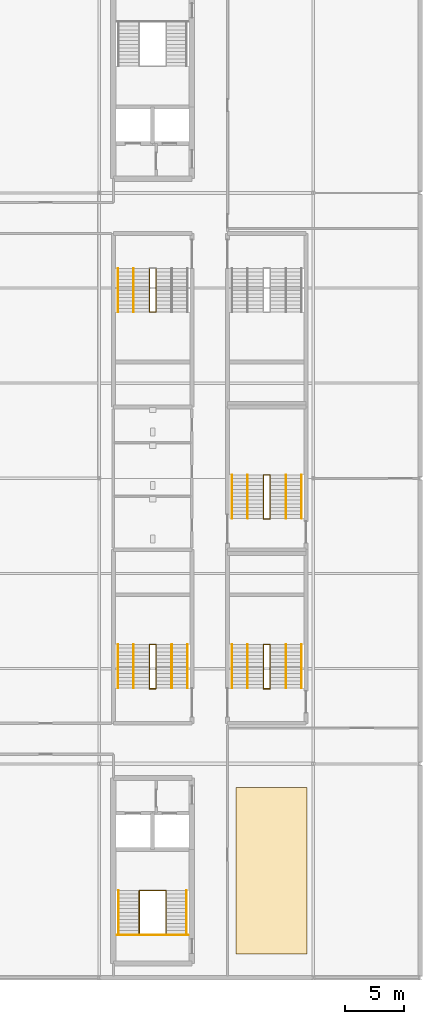
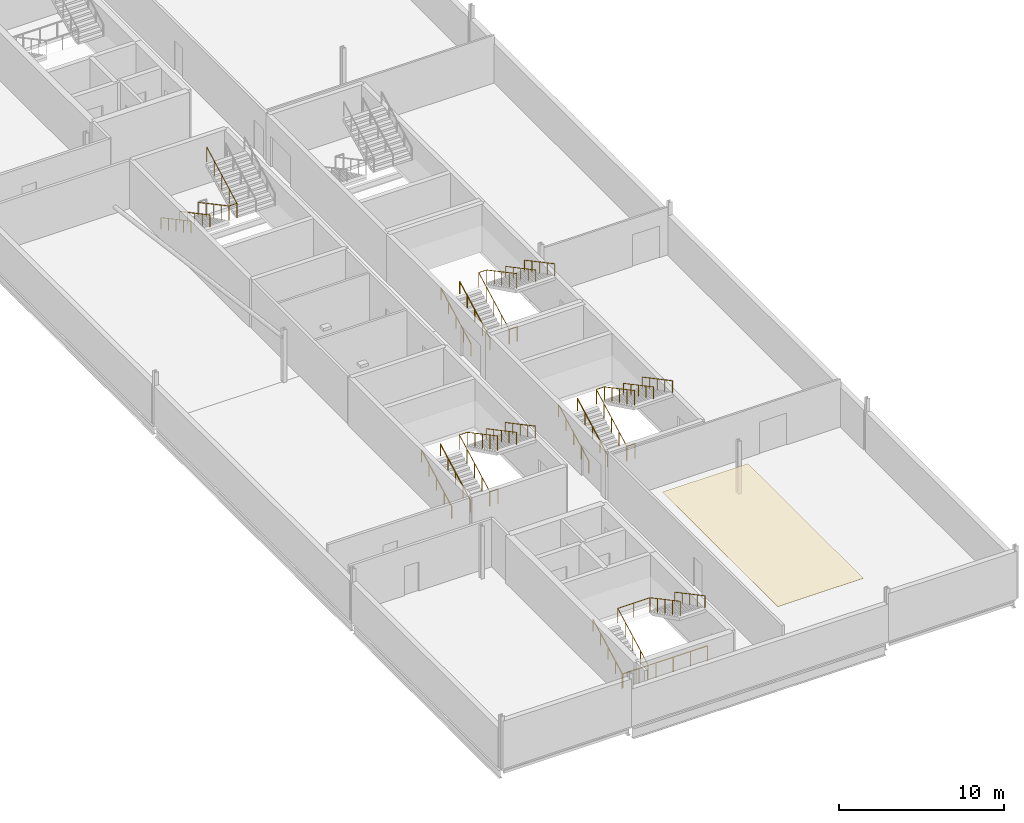
# One storey, part 26 of 30: 25 railings, 1 covering.
"""IFC4 building model written with IfcOpenShell, lengths in metres."""

from ifc_helpers import new_model, si_unit, direction, frame, origin, origin_2d, place, context, subcontext, project, spatial, polyline, circle, outline, extrude, material, layer, layer_set, type_object, element, save


model = new_model("IFC4")

# Units and contexts
model_context = context("Model", 3, precision=1e-05, world=origin(), true_north=direction((0.0, 1.0)))
body_context = subcontext(model_context, "Body", "Model", "MODEL_VIEW")
ifc_project = project(units=[si_unit("LENGTHUNIT", "METRE"), si_unit("AREAUNIT", "SQUARE_METRE"), si_unit("VOLUMEUNIT", "CUBIC_METRE"), si_unit("PLANEANGLEUNIT", "RADIAN"), si_unit("MASSUNIT", "GRAM", prefix="KILO")], contexts=[model_context])

# Site, building, storey
site_placement = place(None, origin())
site = spatial("IfcSite", under=ifc_project, at=site_placement, CompositionType="ELEMENT")
building_placement = place(site_placement, origin())
building = spatial("IfcBuilding", under=site, at=building_placement, Name="Kisiwana Market Hall", CompositionType="ELEMENT")
storey_placement = place(building_placement, frame((0.0, 0.0, 54.0)))
storey = spatial("IfcBuildingStorey", under=building, at=storey_placement, Name="L12", CompositionType="ELEMENT", Elevation=54.0)

# Covering
ifc_material_1 = material(Name="Mineral-fibre acoustic ceiling board")
ifc_layer = layer(ifc_material_1, 0.02490234375)
ifc_layer_set = layer_set([ifc_layer], Name="COV-CEIL-AC")
covering_type = type_object("IfcCoveringType", Name="COV-CEIL-AC", PredefinedType="CEILING", material=ifc_layer_set)
covering_placement = place(storey_placement, frame((0.0, 0.0, 3.52001953125)))
element("IfcCovering", 1, at=covering_placement, inside=storey, type_object=covering_type, Name="Acoustic ceiling grid L12-027", PredefinedType="CEILING", context=body_context, shape_type="SweptSolid", body=[
    extrude(outline(polyline([(20.5, 20.0), (26.5, 20.0), (26.5, 34.0), (20.5, 34.0), (20.5, 20.0)])), origin(), (0.0, 0.0, 1.0), 0.02490234375),
])

# Railings
ifc_material_2 = material(Name="Steel S275", Category="steel")
railing_type_1 = type_object("IfcRailingType", Name="RL-GUARD-1100", PredefinedType="GUARDRAIL", material=ifc_material_2)
railing_1_placement = place(storey_placement, frame((12.375, 21.674560546875, 0.0)))
element("IfcRailing", 2, at=railing_1_placement, inside=storey, type_object=railing_type_1, Name="Stair ST-W2-L12 inner-well guardrail (RL-1435)", PredefinedType="GUARDRAIL", context=body_context, shape_type="SweptSolid", body=[
    extrude(circle(Radius=0.02392578125, at=origin_2d()), frame((0.0, 0.0, 1.076171875), z_axis=(0.0, 0.88255331184, 0.47021234752), x_axis=(-1.0, 0.0, 0.0)), (0.0, 0.0, 1.0), 4.14697265625),
    extrude(circle(Radius=0.02392578125, at=origin_2d()), frame((0.0, 3.659912109375, 3.02587890625), z_axis=(1.0, 0.0, 0.0), x_axis=(0.0, 1.0, 0.0)), (0.0, 0.0, 1.0), 2.25),
    extrude(circle(Radius=0.02392578125, at=origin_2d()), frame((2.25, 3.659912109375, 3.02587890625), z_axis=(0.0, -0.88255331184, 0.47021234752), x_axis=(1.0, 0.0, 0.0)), (0.0, 0.0, 1.0), 4.14697265625),
    extrude(circle(Radius=0.02099609375, at=origin_2d()), origin(), (0.0, 0.0, 1.0), 1.052001953125),
    extrude(circle(Radius=0.02099609375, at=origin_2d()), frame((0.0, 0.9150390625, 0.487548828125)), (0.0, 0.0, 1.0), 1.052001953125),
    extrude(circle(Radius=0.02099609375, at=origin_2d()), frame((0.0, 1.830078125, 0.97509765625)), (0.0, 0.0, 1.0), 1.052001953125),
    extrude(circle(Radius=0.02099609375, at=origin_2d()), frame((0.0, 2.744873046875, 1.46240234375)), (0.0, 0.0, 1.0), 1.052001953125),
    extrude(circle(Radius=0.02099609375, at=origin_2d()), frame((0.0, 3.659912109375, 1.949951171875)), (0.0, 0.0, 1.0), 1.052001953125),
    extrude(circle(Radius=0.02099609375, at=origin_2d()), frame((1.125, 3.659912109375, 1.949951171875)), (0.0, 0.0, 1.0), 1.052001953125),
    extrude(circle(Radius=0.02099609375, at=origin_2d()), frame((2.25, 3.659912109375, 1.949951171875)), (0.0, 0.0, 1.0), 1.052001953125),
    extrude(circle(Radius=0.02099609375, at=origin_2d()), frame((2.25, 2.744873046875, 2.4375)), (0.0, 0.0, 1.0), 1.052001953125),
    extrude(circle(Radius=0.02099609375, at=origin_2d()), frame((2.25, 1.830078125, 2.9248046875)), (0.0, 0.0, 1.0), 1.052001953125),
    extrude(circle(Radius=0.02099609375, at=origin_2d()), frame((2.25, 0.9150390625, 3.412353515625)), (0.0, 0.0, 1.0), 1.052001953125),
    extrude(circle(Radius=0.02099609375, at=origin_2d()), frame((2.25, 0.0, 3.89990234375)), (0.0, 0.0, 1.0), 1.052001953125),
])
railing_2_placement = place(storey_placement, frame((10.5048828125, 21.594482421875, 0.0)))
element("IfcRailing", 3, at=railing_2_placement, inside=storey, type_object=railing_type_1, Name="Stair ST-W2-L12 landing edge guardrail (RL-1438)", PredefinedType="GUARDRAIL", context=body_context, shape_type="SweptSolid", body=[
    extrude(circle(Radius=0.02392578125, at=origin_2d()), frame((0.0, 0.0, 1.076171875), z_axis=(1.0, 0.0, 0.0), x_axis=(0.0, 1.0, 0.0)), (0.0, 0.0, 1.0), 5.990234375),
    extrude(circle(Radius=0.02099609375, at=origin_2d()), origin(), (0.0, 0.0, 1.0), 1.052001953125),
    extrude(circle(Radius=0.02099609375, at=origin_2d()), frame((1.197998046875, 0.0, 0.0)), (0.0, 0.0, 1.0), 1.052001953125),
    extrude(circle(Radius=0.02099609375, at=origin_2d()), frame((2.39599609375, 0.0, 0.0)), (0.0, 0.0, 1.0), 1.052001953125),
    extrude(circle(Radius=0.02099609375, at=origin_2d()), frame((3.59423828125, 0.0, 0.0)), (0.0, 0.0, 1.0), 1.052001953125),
    extrude(circle(Radius=0.02099609375, at=origin_2d()), frame((4.792236328125, 0.0, 0.0)), (0.0, 0.0, 1.0), 1.052001953125),
    extrude(circle(Radius=0.02099609375, at=origin_2d()), frame((5.990234375, 0.0, 0.0)), (0.0, 0.0, 1.0), 1.052001953125),
])
railing_3_placement = place(storey_placement, frame((13.219970703125, 42.360107421875, 0.0)))
element("IfcRailing", 4, at=railing_3_placement, inside=storey, type_object=railing_type_1, Name="Stair ST-W3-L12 inner-well guardrail (RL-1451)", PredefinedType="GUARDRAIL", context=body_context, shape_type="SweptSolid", body=[
    extrude(circle(Radius=0.02392578125, at=origin_2d()), frame((0.0, 0.0, 1.076171875), z_axis=(0.0, 0.88255331184, 0.47021234752), x_axis=(-1.0, 0.0, 0.0)), (0.0, 0.0, 1.0), 4.14697265625),
    extrude(circle(Radius=0.02392578125, at=origin_2d()), frame((0.0, 3.659912109375, 3.02587890625), z_axis=(1.0, 0.0, 0.0), x_axis=(0.0, 1.0, 0.0)), (0.0, 0.0, 1.0), 0.56005859375),
    extrude(circle(Radius=0.02392578125, at=origin_2d()), frame((0.56005859375, 3.659912109375, 3.02587890625), z_axis=(0.0, -0.88255331184, 0.47021234752), x_axis=(1.0, 0.0, 0.0)), (0.0, 0.0, 1.0), 4.14697265625),
    extrude(circle(Radius=0.02099609375, at=origin_2d()), origin(), (0.0, 0.0, 1.0), 1.052001953125),
    extrude(circle(Radius=0.02099609375, at=origin_2d()), frame((0.0, 0.9150390625, 0.487548828125)), (0.0, 0.0, 1.0), 1.052001953125),
    extrude(circle(Radius=0.02099609375, at=origin_2d()), frame((0.0, 1.830078125, 0.97509765625)), (0.0, 0.0, 1.0), 1.052001953125),
    extrude(circle(Radius=0.02099609375, at=origin_2d()), frame((0.0, 2.744873046875, 1.46240234375)), (0.0, 0.0, 1.0), 1.052001953125),
    extrude(circle(Radius=0.02099609375, at=origin_2d()), frame((0.0, 3.659912109375, 1.949951171875)), (0.0, 0.0, 1.0), 1.052001953125),
    extrude(circle(Radius=0.02099609375, at=origin_2d()), frame((0.56005859375, 3.659912109375, 1.949951171875)), (0.0, 0.0, 1.0), 1.052001953125),
    extrude(circle(Radius=0.02099609375, at=origin_2d()), frame((0.56005859375, 2.744873046875, 2.4375)), (0.0, 0.0, 1.0), 1.052001953125),
    extrude(circle(Radius=0.02099609375, at=origin_2d()), frame((0.56005859375, 1.830078125, 2.9248046875)), (0.0, 0.0, 1.0), 1.052001953125),
    extrude(circle(Radius=0.02099609375, at=origin_2d()), frame((0.56005859375, 0.9150390625, 3.412353515625)), (0.0, 0.0, 1.0), 1.052001953125),
    extrude(circle(Radius=0.02099609375, at=origin_2d()), frame((0.56005859375, 0.0, 3.89990234375)), (0.0, 0.0, 1.0), 1.052001953125),
])
railing_4_placement = place(storey_placement, frame((13.219970703125, 42.31005859375, 0.0)))
element("IfcRailing", 5, at=railing_4_placement, inside=storey, type_object=railing_type_1, Name="Stair ST-W3-L12 landing edge guardrail (RL-1456)", PredefinedType="GUARDRAIL", context=body_context, shape_type="SweptSolid", body=[
    extrude(circle(Radius=0.02392578125, at=origin_2d()), frame((0.0, 0.0, 1.076171875), z_axis=(1.0, 0.0, 0.0), x_axis=(0.0, 1.0, 0.0)), (0.0, 0.0, 1.0), 0.56005859375),
    extrude(circle(Radius=0.02099609375, at=origin_2d()), origin(), (0.0, 0.0, 1.0), 1.052001953125),
    extrude(circle(Radius=0.02099609375, at=origin_2d()), frame((0.56005859375, 0.0, 0.0)), (0.0, 0.0, 1.0), 1.052001953125),
])
railing_5_placement = place(storey_placement, frame((13.219970703125, 77.639892578125, 0.0)))
element("IfcRailing", 6, at=railing_5_placement, inside=storey, type_object=railing_type_1, Name="Stair ST-W4-L12 inner-well guardrail (RL-1457)", PredefinedType="GUARDRAIL", context=body_context, shape_type="SweptSolid", body=[
    extrude(circle(Radius=0.02392578125, at=origin_2d()), frame((0.0, 0.0, 1.076171875), z_axis=(0.0, -0.88255331184, 0.47021234752), x_axis=(1.0, 0.0, 0.0)), (0.0, 0.0, 1.0), 4.14697265625),
    extrude(circle(Radius=0.02392578125, at=origin_2d()), frame((0.0, -3.659912109375, 3.02587890625), z_axis=(1.0, 0.0, 0.0), x_axis=(0.0, 1.0, 0.0)), (0.0, 0.0, 1.0), 0.56005859375),
    extrude(circle(Radius=0.02392578125, at=origin_2d()), frame((0.56005859375, -3.659912109375, 3.02587890625), z_axis=(0.0, 0.88255331184, 0.47021234752), x_axis=(-1.0, 0.0, 0.0)), (0.0, 0.0, 1.0), 4.14697265625),
    extrude(circle(Radius=0.02099609375, at=origin_2d()), origin(), (0.0, 0.0, 1.0), 1.052001953125),
    extrude(circle(Radius=0.02099609375, at=origin_2d()), frame((0.0, -0.9150390625, 0.487548828125)), (0.0, 0.0, 1.0), 1.052001953125),
    extrude(circle(Radius=0.02099609375, at=origin_2d()), frame((0.0, -1.830078125, 0.97509765625)), (0.0, 0.0, 1.0), 1.052001953125),
    extrude(circle(Radius=0.02099609375, at=origin_2d()), frame((0.0, -2.744873046875, 1.46240234375)), (0.0, 0.0, 1.0), 1.052001953125),
    extrude(circle(Radius=0.02099609375, at=origin_2d()), frame((0.0, -3.659912109375, 1.949951171875)), (0.0, 0.0, 1.0), 1.052001953125),
    extrude(circle(Radius=0.02099609375, at=origin_2d()), frame((0.56005859375, -3.659912109375, 1.949951171875)), (0.0, 0.0, 1.0), 1.052001953125),
    extrude(circle(Radius=0.02099609375, at=origin_2d()), frame((0.56005859375, -2.744873046875, 2.4375)), (0.0, 0.0, 1.0), 1.052001953125),
    extrude(circle(Radius=0.02099609375, at=origin_2d()), frame((0.56005859375, -1.830078125, 2.9248046875)), (0.0, 0.0, 1.0), 1.052001953125),
    extrude(circle(Radius=0.02099609375, at=origin_2d()), frame((0.56005859375, -0.9150390625, 3.412353515625)), (0.0, 0.0, 1.0), 1.052001953125),
    extrude(circle(Radius=0.02099609375, at=origin_2d()), frame((0.56005859375, 0.0, 3.89990234375)), (0.0, 0.0, 1.0), 1.052001953125),
])
railing_6_placement = place(storey_placement, frame((22.820068359375, 42.360107421875, 0.0)))
element("IfcRailing", 7, at=railing_6_placement, inside=storey, type_object=railing_type_1, Name="Stair ST-W7-L12 inner-well guardrail (RL-1475)", PredefinedType="GUARDRAIL", context=body_context, shape_type="SweptSolid", body=[
    extrude(circle(Radius=0.02392578125, at=origin_2d()), frame((0.0, 0.0, 1.076171875), z_axis=(0.0, 0.88255331184, 0.47021234752), x_axis=(-1.0, 0.0, 0.0)), (0.0, 0.0, 1.0), 4.14697265625),
    extrude(circle(Radius=0.02392578125, at=origin_2d()), frame((0.0, 3.659912109375, 3.02587890625), z_axis=(1.0, 0.0, 0.0), x_axis=(0.0, 1.0, 0.0)), (0.0, 0.0, 1.0), 0.559814453125),
    extrude(circle(Radius=0.02392578125, at=origin_2d()), frame((0.559814453125, 3.659912109375, 3.02587890625), z_axis=(0.0, -0.88255331184, 0.47021234752), x_axis=(1.0, 0.0, 0.0)), (0.0, 0.0, 1.0), 4.14697265625),
    extrude(circle(Radius=0.02099609375, at=origin_2d()), origin(), (0.0, 0.0, 1.0), 1.052001953125),
    extrude(circle(Radius=0.02099609375, at=origin_2d()), frame((0.0, 0.9150390625, 0.487548828125)), (0.0, 0.0, 1.0), 1.052001953125),
    extrude(circle(Radius=0.02099609375, at=origin_2d()), frame((0.0, 1.830078125, 0.97509765625)), (0.0, 0.0, 1.0), 1.052001953125),
    extrude(circle(Radius=0.02099609375, at=origin_2d()), frame((0.0, 2.744873046875, 1.46240234375)), (0.0, 0.0, 1.0), 1.052001953125),
    extrude(circle(Radius=0.02099609375, at=origin_2d()), frame((0.0, 3.659912109375, 1.949951171875)), (0.0, 0.0, 1.0), 1.052001953125),
    extrude(circle(Radius=0.02099609375, at=origin_2d()), frame((0.559814453125, 3.659912109375, 1.949951171875)), (0.0, 0.0, 1.0), 1.052001953125),
    extrude(circle(Radius=0.02099609375, at=origin_2d()), frame((0.559814453125, 2.744873046875, 2.4375)), (0.0, 0.0, 1.0), 1.052001953125),
    extrude(circle(Radius=0.02099609375, at=origin_2d()), frame((0.559814453125, 1.830078125, 2.9248046875)), (0.0, 0.0, 1.0), 1.052001953125),
    extrude(circle(Radius=0.02099609375, at=origin_2d()), frame((0.559814453125, 0.9150390625, 3.412353515625)), (0.0, 0.0, 1.0), 1.052001953125),
    extrude(circle(Radius=0.02099609375, at=origin_2d()), frame((0.559814453125, 0.0, 3.89990234375)), (0.0, 0.0, 1.0), 1.052001953125),
])
railing_7_placement = place(storey_placement, frame((22.820068359375, 42.31005859375, 0.0)))
element("IfcRailing", 8, at=railing_7_placement, inside=storey, type_object=railing_type_1, Name="Stair ST-W7-L12 landing edge guardrail (RL-1480)", PredefinedType="GUARDRAIL", context=body_context, shape_type="SweptSolid", body=[
    extrude(circle(Radius=0.02392578125, at=origin_2d()), frame((0.0, 0.0, 1.076171875), z_axis=(1.0, 0.0, 0.0), x_axis=(0.0, 1.0, 0.0)), (0.0, 0.0, 1.0), 0.559814453125),
    extrude(circle(Radius=0.02099609375, at=origin_2d()), origin(), (0.0, 0.0, 1.0), 1.052001953125),
    extrude(circle(Radius=0.02099609375, at=origin_2d()), frame((0.559814453125, 0.0, 0.0)), (0.0, 0.0, 1.0), 1.052001953125),
])
railing_8_placement = place(storey_placement, frame((22.820068359375, 56.639892578125, 0.0)))
element("IfcRailing", 9, at=railing_8_placement, inside=storey, type_object=railing_type_1, Name="Stair ST-W5-L12 inner-well guardrail (RL-1499)", PredefinedType="GUARDRAIL", context=body_context, shape_type="SweptSolid", body=[
    extrude(circle(Radius=0.02392578125, at=origin_2d()), frame((0.0, 0.0, 1.076171875), z_axis=(0.0, 0.882566327451, 0.470187917379), x_axis=(-1.0, 0.0, 0.0)), (0.0, 0.0, 1.0), 4.147216796875),
    extrude(circle(Radius=0.02392578125, at=origin_2d()), frame((0.0, 3.66015625, 3.02587890625), z_axis=(1.0, 0.0, 0.0), x_axis=(0.0, 1.0, 0.0)), (0.0, 0.0, 1.0), 0.559814453125),
    extrude(circle(Radius=0.02392578125, at=origin_2d()), frame((0.559814453125, 3.66015625, 3.02587890625), z_axis=(0.0, -0.882566327451, 0.470187917379), x_axis=(1.0, 0.0, 0.0)), (0.0, 0.0, 1.0), 4.147216796875),
    extrude(circle(Radius=0.02099609375, at=origin_2d()), origin(), (0.0, 0.0, 1.0), 1.052001953125),
    extrude(circle(Radius=0.02099609375, at=origin_2d()), frame((0.0, 0.9150390625, 0.487548828125)), (0.0, 0.0, 1.0), 1.052001953125),
    extrude(circle(Radius=0.02099609375, at=origin_2d()), frame((0.0, 1.830078125, 0.97509765625)), (0.0, 0.0, 1.0), 1.052001953125),
    extrude(circle(Radius=0.02099609375, at=origin_2d()), frame((0.0, 2.7451171875, 1.46240234375)), (0.0, 0.0, 1.0), 1.052001953125),
    extrude(circle(Radius=0.02099609375, at=origin_2d()), frame((0.0, 3.66015625, 1.949951171875)), (0.0, 0.0, 1.0), 1.052001953125),
    extrude(circle(Radius=0.02099609375, at=origin_2d()), frame((0.559814453125, 3.66015625, 1.949951171875)), (0.0, 0.0, 1.0), 1.052001953125),
    extrude(circle(Radius=0.02099609375, at=origin_2d()), frame((0.559814453125, 2.7451171875, 2.4375)), (0.0, 0.0, 1.0), 1.052001953125),
    extrude(circle(Radius=0.02099609375, at=origin_2d()), frame((0.559814453125, 1.830078125, 2.9248046875)), (0.0, 0.0, 1.0), 1.052001953125),
    extrude(circle(Radius=0.02099609375, at=origin_2d()), frame((0.559814453125, 0.9150390625, 3.412353515625)), (0.0, 0.0, 1.0), 1.052001953125),
    extrude(circle(Radius=0.02099609375, at=origin_2d()), frame((0.559814453125, 0.0, 3.89990234375)), (0.0, 0.0, 1.0), 1.052001953125),
])
railing_9_placement = place(storey_placement, frame((22.820068359375, 56.590087890625, 0.0)))
element("IfcRailing", 10, at=railing_9_placement, inside=storey, type_object=railing_type_1, Name="Stair ST-W5-L12 landing edge guardrail (RL-1504)", PredefinedType="GUARDRAIL", context=body_context, shape_type="SweptSolid", body=[
    extrude(circle(Radius=0.02392578125, at=origin_2d()), frame((0.0, 0.0, 1.076171875), z_axis=(1.0, 0.0, 0.0), x_axis=(0.0, 1.0, 0.0)), (0.0, 0.0, 1.0), 0.559814453125),
    extrude(circle(Radius=0.02099609375, at=origin_2d()), origin(), (0.0, 0.0, 1.0), 1.052001953125),
    extrude(circle(Radius=0.02099609375, at=origin_2d()), frame((0.559814453125, 0.0, 0.0)), (0.0, 0.0, 1.0), 1.052001953125),
])
ifc_material_3 = material(Name="Steel S275", Category="steel")
railing_type_2 = type_object("IfcRailingType", Name="RL-HAND-900", PredefinedType="HANDRAIL", material=ifc_material_3)
railing_10_placement = place(storey_placement, frame((10.635009765625, 21.674560546875, 0.0)))
element("IfcRailing", 11, at=railing_10_placement, inside=storey, type_object=railing_type_2, Name="Stair ST-W2-L12 flight 1 handrail (RL-1436)", PredefinedType="HANDRAIL", context=body_context, shape_type="SweptSolid", body=[
    extrude(circle(Radius=0.02392578125, at=origin_2d()), frame((0.0, 0.0, 0.8759765625), z_axis=(0.0, 0.88255331184, 0.47021234752), x_axis=(-1.0, 0.0, 0.0)), (0.0, 0.0, 1.0), 4.14697265625),
    extrude(circle(Radius=0.02099609375, at=origin_2d()), origin(), (0.0, 0.0, 1.0), 0.851806640625),
    extrude(circle(Radius=0.02099609375, at=origin_2d()), frame((0.0, 0.9150390625, 0.487548828125)), (0.0, 0.0, 1.0), 0.851806640625),
    extrude(circle(Radius=0.02099609375, at=origin_2d()), frame((0.0, 1.830078125, 0.97509765625)), (0.0, 0.0, 1.0), 0.851806640625),
    extrude(circle(Radius=0.02099609375, at=origin_2d()), frame((0.0, 2.744873046875, 1.46240234375)), (0.0, 0.0, 1.0), 0.851806640625),
    extrude(circle(Radius=0.02099609375, at=origin_2d()), frame((0.0, 3.659912109375, 1.949951171875)), (0.0, 0.0, 1.0), 0.851806640625),
])
railing_11_placement = place(storey_placement, frame((16.364990234375, 25.33447265625, 1.949951171875)))
element("IfcRailing", 12, at=railing_11_placement, inside=storey, type_object=railing_type_2, Name="Stair ST-W2-L12 flight 2 handrail (RL-1437)", PredefinedType="HANDRAIL", context=body_context, shape_type="SweptSolid", body=[
    extrude(circle(Radius=0.02392578125, at=origin_2d()), frame((0.0, 0.0, 0.8759765625), z_axis=(0.0, -0.88255331184, 0.47021234752), x_axis=(1.0, 0.0, 0.0)), (0.0, 0.0, 1.0), 4.14697265625),
    extrude(circle(Radius=0.02099609375, at=origin_2d()), origin(), (0.0, 0.0, 1.0), 0.851806640625),
    extrude(circle(Radius=0.02099609375, at=origin_2d()), frame((0.0, -0.9150390625, 0.487548828125)), (0.0, 0.0, 1.0), 0.851806640625),
    extrude(circle(Radius=0.02099609375, at=origin_2d()), frame((0.0, -1.830078125, 0.97509765625)), (0.0, 0.0, 1.0), 0.851806640625),
    extrude(circle(Radius=0.02099609375, at=origin_2d()), frame((0.0, -2.744873046875, 1.46240234375)), (0.0, 0.0, 1.0), 0.851806640625),
    extrude(circle(Radius=0.02099609375, at=origin_2d()), frame((0.0, -3.659912109375, 1.949951171875)), (0.0, 0.0, 1.0), 0.851806640625),
])
railing_12_placement = place(storey_placement, frame((10.570068359375, 42.360107421875, 0.0)))
element("IfcRailing", 13, at=railing_12_placement, inside=storey, type_object=railing_type_2, Name="Stair ST-W3-L12 flight 1 handrail (RL-1452)", PredefinedType="HANDRAIL", context=body_context, shape_type="SweptSolid", body=[
    extrude(circle(Radius=0.02392578125, at=origin_2d()), frame((0.0, 0.0, 0.8759765625), z_axis=(0.0, 0.88255331184, 0.47021234752), x_axis=(-1.0, 0.0, 0.0)), (0.0, 0.0, 1.0), 4.14697265625),
    extrude(circle(Radius=0.02099609375, at=origin_2d()), origin(), (0.0, 0.0, 1.0), 0.851806640625),
    extrude(circle(Radius=0.02099609375, at=origin_2d()), frame((0.0, 0.9150390625, 0.487548828125)), (0.0, 0.0, 1.0), 0.851806640625),
    extrude(circle(Radius=0.02099609375, at=origin_2d()), frame((0.0, 1.830078125, 0.97509765625)), (0.0, 0.0, 1.0), 0.851806640625),
    extrude(circle(Radius=0.02099609375, at=origin_2d()), frame((0.0, 2.744873046875, 1.46240234375)), (0.0, 0.0, 1.0), 0.851806640625),
    extrude(circle(Radius=0.02099609375, at=origin_2d()), frame((0.0, 3.659912109375, 1.949951171875)), (0.0, 0.0, 1.0), 0.851806640625),
])
railing_13_placement = place(storey_placement, frame((16.429931640625, 46.02001953125, 1.949951171875)))
element("IfcRailing", 14, at=railing_13_placement, inside=storey, type_object=railing_type_2, Name="Stair ST-W3-L12 flight 2 handrail (RL-1453)", PredefinedType="HANDRAIL", context=body_context, shape_type="SweptSolid", body=[
    extrude(circle(Radius=0.02392578125, at=origin_2d()), frame((0.0, 0.0, 0.8759765625), z_axis=(0.0, -0.88255331184, 0.47021234752), x_axis=(1.0, 0.0, 0.0)), (0.0, 0.0, 1.0), 4.14697265625),
    extrude(circle(Radius=0.02099609375, at=origin_2d()), origin(), (0.0, 0.0, 1.0), 0.851806640625),
    extrude(circle(Radius=0.02099609375, at=origin_2d()), frame((0.0, -0.9150390625, 0.487548828125)), (0.0, 0.0, 1.0), 0.851806640625),
    extrude(circle(Radius=0.02099609375, at=origin_2d()), frame((0.0, -1.830078125, 0.97509765625)), (0.0, 0.0, 1.0), 0.851806640625),
    extrude(circle(Radius=0.02099609375, at=origin_2d()), frame((0.0, -2.744873046875, 1.46240234375)), (0.0, 0.0, 1.0), 0.851806640625),
    extrude(circle(Radius=0.02099609375, at=origin_2d()), frame((0.0, -3.659912109375, 1.949951171875)), (0.0, 0.0, 1.0), 0.851806640625),
])
railing_14_placement = place(storey_placement, frame((11.889892578125, 42.360107421875, 0.0)))
element("IfcRailing", 15, at=railing_14_placement, inside=storey, type_object=railing_type_2, Name="Stair ST-W3-L12 flight 1 intermediate handrail (RL-1454)", PredefinedType="HANDRAIL", context=body_context, shape_type="SweptSolid", body=[
    extrude(circle(Radius=0.02392578125, at=origin_2d()), frame((0.0, 0.0, 0.8759765625), z_axis=(0.0, 0.88255331184, 0.47021234752), x_axis=(-1.0, 0.0, 0.0)), (0.0, 0.0, 1.0), 4.14697265625),
    extrude(circle(Radius=0.02099609375, at=origin_2d()), origin(), (0.0, 0.0, 1.0), 0.851806640625),
    extrude(circle(Radius=0.02099609375, at=origin_2d()), frame((0.0, 0.9150390625, 0.487548828125)), (0.0, 0.0, 1.0), 0.851806640625),
    extrude(circle(Radius=0.02099609375, at=origin_2d()), frame((0.0, 1.830078125, 0.97509765625)), (0.0, 0.0, 1.0), 0.851806640625),
    extrude(circle(Radius=0.02099609375, at=origin_2d()), frame((0.0, 2.744873046875, 1.46240234375)), (0.0, 0.0, 1.0), 0.851806640625),
    extrude(circle(Radius=0.02099609375, at=origin_2d()), frame((0.0, 3.659912109375, 1.949951171875)), (0.0, 0.0, 1.0), 0.851806640625),
])
for number, where, name in (
    (16, (15.110107421875, 46.02001953125, 1.949951171875), "Stair ST-W3-L12 flight 2 intermediate handrail (RL-1455)"),
    (17, (10.570068359375, 77.639892578125, 0.0), "Stair ST-W4-L12 flight 1 handrail (RL-1458)"),
    (18, (11.889892578125, 77.639892578125, 0.0), "Stair ST-W4-L12 flight 1 intermediate handrail (RL-1460)"),
):
    element("IfcRailing", number, at=place(storey_placement, frame(where)), inside=storey, type_object=railing_type_2, Name=name, PredefinedType="HANDRAIL", context=body_context, shape_type="SweptSolid", body=[
        extrude(circle(Radius=0.02392578125, at=origin_2d()), frame((0.0, 0.0, 0.8759765625), z_axis=(0.0, -0.88255331184, 0.47021234752), x_axis=(1.0, 0.0, 0.0)), (0.0, 0.0, 1.0), 4.14697265625),
        extrude(circle(Radius=0.02099609375, at=origin_2d()), origin(), (0.0, 0.0, 1.0), 0.851806640625),
        extrude(circle(Radius=0.02099609375, at=origin_2d()), frame((0.0, -0.9150390625, 0.487548828125)), (0.0, 0.0, 1.0), 0.851806640625),
        extrude(circle(Radius=0.02099609375, at=origin_2d()), frame((0.0, -1.830078125, 0.97509765625)), (0.0, 0.0, 1.0), 0.851806640625),
        extrude(circle(Radius=0.02099609375, at=origin_2d()), frame((0.0, -2.744873046875, 1.46240234375)), (0.0, 0.0, 1.0), 0.851806640625),
        extrude(circle(Radius=0.02099609375, at=origin_2d()), frame((0.0, -3.659912109375, 1.949951171875)), (0.0, 0.0, 1.0), 0.851806640625),
    ])
railing_15_placement = place(storey_placement, frame((20.169921875, 42.360107421875, 0.0)))
element("IfcRailing", 19, at=railing_15_placement, inside=storey, type_object=railing_type_2, Name="Stair ST-W7-L12 flight 1 handrail (RL-1476)", PredefinedType="HANDRAIL", context=body_context, shape_type="SweptSolid", body=[
    extrude(circle(Radius=0.02392578125, at=origin_2d()), frame((0.0, 0.0, 0.8759765625), z_axis=(0.0, 0.88255331184, 0.47021234752), x_axis=(-1.0, 0.0, 0.0)), (0.0, 0.0, 1.0), 4.14697265625),
    extrude(circle(Radius=0.02099609375, at=origin_2d()), origin(), (0.0, 0.0, 1.0), 0.851806640625),
    extrude(circle(Radius=0.02099609375, at=origin_2d()), frame((0.0, 0.9150390625, 0.487548828125)), (0.0, 0.0, 1.0), 0.851806640625),
    extrude(circle(Radius=0.02099609375, at=origin_2d()), frame((0.0, 1.830078125, 0.97509765625)), (0.0, 0.0, 1.0), 0.851806640625),
    extrude(circle(Radius=0.02099609375, at=origin_2d()), frame((0.0, 2.744873046875, 1.46240234375)), (0.0, 0.0, 1.0), 0.851806640625),
    extrude(circle(Radius=0.02099609375, at=origin_2d()), frame((0.0, 3.659912109375, 1.949951171875)), (0.0, 0.0, 1.0), 0.851806640625),
])
railing_16_placement = place(storey_placement, frame((26.030029296875, 46.02001953125, 1.949951171875)))
element("IfcRailing", 20, at=railing_16_placement, inside=storey, type_object=railing_type_2, Name="Stair ST-W7-L12 flight 2 handrail (RL-1477)", PredefinedType="HANDRAIL", context=body_context, shape_type="SweptSolid", body=[
    extrude(circle(Radius=0.02392578125, at=origin_2d()), frame((0.0, 0.0, 0.8759765625), z_axis=(0.0, -0.88255331184, 0.47021234752), x_axis=(1.0, 0.0, 0.0)), (0.0, 0.0, 1.0), 4.14697265625),
    extrude(circle(Radius=0.02099609375, at=origin_2d()), origin(), (0.0, 0.0, 1.0), 0.851806640625),
    extrude(circle(Radius=0.02099609375, at=origin_2d()), frame((0.0, -0.9150390625, 0.487548828125)), (0.0, 0.0, 1.0), 0.851806640625),
    extrude(circle(Radius=0.02099609375, at=origin_2d()), frame((0.0, -1.830078125, 0.97509765625)), (0.0, 0.0, 1.0), 0.851806640625),
    extrude(circle(Radius=0.02099609375, at=origin_2d()), frame((0.0, -2.744873046875, 1.46240234375)), (0.0, 0.0, 1.0), 0.851806640625),
    extrude(circle(Radius=0.02099609375, at=origin_2d()), frame((0.0, -3.659912109375, 1.949951171875)), (0.0, 0.0, 1.0), 0.851806640625),
])
railing_17_placement = place(storey_placement, frame((21.489990234375, 42.360107421875, 0.0)))
element("IfcRailing", 21, at=railing_17_placement, inside=storey, type_object=railing_type_2, Name="Stair ST-W7-L12 flight 1 intermediate handrail (RL-1478)", PredefinedType="HANDRAIL", context=body_context, shape_type="SweptSolid", body=[
    extrude(circle(Radius=0.02392578125, at=origin_2d()), frame((0.0, 0.0, 0.8759765625), z_axis=(0.0, 0.88255331184, 0.47021234752), x_axis=(-1.0, 0.0, 0.0)), (0.0, 0.0, 1.0), 4.14697265625),
    extrude(circle(Radius=0.02099609375, at=origin_2d()), origin(), (0.0, 0.0, 1.0), 0.851806640625),
    extrude(circle(Radius=0.02099609375, at=origin_2d()), frame((0.0, 0.9150390625, 0.487548828125)), (0.0, 0.0, 1.0), 0.851806640625),
    extrude(circle(Radius=0.02099609375, at=origin_2d()), frame((0.0, 1.830078125, 0.97509765625)), (0.0, 0.0, 1.0), 0.851806640625),
    extrude(circle(Radius=0.02099609375, at=origin_2d()), frame((0.0, 2.744873046875, 1.46240234375)), (0.0, 0.0, 1.0), 0.851806640625),
    extrude(circle(Radius=0.02099609375, at=origin_2d()), frame((0.0, 3.659912109375, 1.949951171875)), (0.0, 0.0, 1.0), 0.851806640625),
])
railing_18_placement = place(storey_placement, frame((24.7099609375, 46.02001953125, 1.949951171875)))
element("IfcRailing", 22, at=railing_18_placement, inside=storey, type_object=railing_type_2, Name="Stair ST-W7-L12 flight 2 intermediate handrail (RL-1479)", PredefinedType="HANDRAIL", context=body_context, shape_type="SweptSolid", body=[
    extrude(circle(Radius=0.02392578125, at=origin_2d()), frame((0.0, 0.0, 0.8759765625), z_axis=(0.0, -0.88255331184, 0.47021234752), x_axis=(1.0, 0.0, 0.0)), (0.0, 0.0, 1.0), 4.14697265625),
    extrude(circle(Radius=0.02099609375, at=origin_2d()), origin(), (0.0, 0.0, 1.0), 0.851806640625),
    extrude(circle(Radius=0.02099609375, at=origin_2d()), frame((0.0, -0.9150390625, 0.487548828125)), (0.0, 0.0, 1.0), 0.851806640625),
    extrude(circle(Radius=0.02099609375, at=origin_2d()), frame((0.0, -1.830078125, 0.97509765625)), (0.0, 0.0, 1.0), 0.851806640625),
    extrude(circle(Radius=0.02099609375, at=origin_2d()), frame((0.0, -2.744873046875, 1.46240234375)), (0.0, 0.0, 1.0), 0.851806640625),
    extrude(circle(Radius=0.02099609375, at=origin_2d()), frame((0.0, -3.659912109375, 1.949951171875)), (0.0, 0.0, 1.0), 0.851806640625),
])
railing_19_placement = place(storey_placement, frame((20.169921875, 56.639892578125, 0.0)))
element("IfcRailing", 23, at=railing_19_placement, inside=storey, type_object=railing_type_2, Name="Stair ST-W5-L12 flight 1 handrail (RL-1500)", PredefinedType="HANDRAIL", context=body_context, shape_type="SweptSolid", body=[
    extrude(circle(Radius=0.02392578125, at=origin_2d()), frame((0.0, 0.0, 0.8759765625), z_axis=(0.0, 0.882566327451, 0.470187917379), x_axis=(-1.0, 0.0, 0.0)), (0.0, 0.0, 1.0), 4.147216796875),
    extrude(circle(Radius=0.02099609375, at=origin_2d()), origin(), (0.0, 0.0, 1.0), 0.851806640625),
    extrude(circle(Radius=0.02099609375, at=origin_2d()), frame((0.0, 0.9150390625, 0.487548828125)), (0.0, 0.0, 1.0), 0.851806640625),
    extrude(circle(Radius=0.02099609375, at=origin_2d()), frame((0.0, 1.830078125, 0.97509765625)), (0.0, 0.0, 1.0), 0.851806640625),
    extrude(circle(Radius=0.02099609375, at=origin_2d()), frame((0.0, 2.7451171875, 1.46240234375)), (0.0, 0.0, 1.0), 0.851806640625),
    extrude(circle(Radius=0.02099609375, at=origin_2d()), frame((0.0, 3.66015625, 1.949951171875)), (0.0, 0.0, 1.0), 0.851806640625),
])
railing_20_placement = place(storey_placement, frame((26.030029296875, 60.300048828125, 1.949951171875)))
element("IfcRailing", 24, at=railing_20_placement, inside=storey, type_object=railing_type_2, Name="Stair ST-W5-L12 flight 2 handrail (RL-1501)", PredefinedType="HANDRAIL", context=body_context, shape_type="SweptSolid", body=[
    extrude(circle(Radius=0.02392578125, at=origin_2d()), frame((0.0, 0.0, 0.8759765625), z_axis=(0.0, -0.882566327451, 0.470187917379), x_axis=(1.0, 0.0, 0.0)), (0.0, 0.0, 1.0), 4.147216796875),
    extrude(circle(Radius=0.02099609375, at=origin_2d()), origin(), (0.0, 0.0, 1.0), 0.851806640625),
    extrude(circle(Radius=0.02099609375, at=origin_2d()), frame((0.0, -0.9150390625, 0.487548828125)), (0.0, 0.0, 1.0), 0.851806640625),
    extrude(circle(Radius=0.02099609375, at=origin_2d()), frame((0.0, -1.830078125, 0.97509765625)), (0.0, 0.0, 1.0), 0.851806640625),
    extrude(circle(Radius=0.02099609375, at=origin_2d()), frame((0.0, -2.7451171875, 1.46240234375)), (0.0, 0.0, 1.0), 0.851806640625),
    extrude(circle(Radius=0.02099609375, at=origin_2d()), frame((0.0, -3.66015625, 1.949951171875)), (0.0, 0.0, 1.0), 0.851806640625),
])
railing_21_placement = place(storey_placement, frame((21.489990234375, 56.639892578125, 0.0)))
element("IfcRailing", 25, at=railing_21_placement, inside=storey, type_object=railing_type_2, Name="Stair ST-W5-L12 flight 1 intermediate handrail (RL-1502)", PredefinedType="HANDRAIL", context=body_context, shape_type="SweptSolid", body=[
    extrude(circle(Radius=0.02392578125, at=origin_2d()), frame((0.0, 0.0, 0.8759765625), z_axis=(0.0, 0.882566327451, 0.470187917379), x_axis=(-1.0, 0.0, 0.0)), (0.0, 0.0, 1.0), 4.147216796875),
    extrude(circle(Radius=0.02099609375, at=origin_2d()), origin(), (0.0, 0.0, 1.0), 0.851806640625),
    extrude(circle(Radius=0.02099609375, at=origin_2d()), frame((0.0, 0.9150390625, 0.487548828125)), (0.0, 0.0, 1.0), 0.851806640625),
    extrude(circle(Radius=0.02099609375, at=origin_2d()), frame((0.0, 1.830078125, 0.97509765625)), (0.0, 0.0, 1.0), 0.851806640625),
    extrude(circle(Radius=0.02099609375, at=origin_2d()), frame((0.0, 2.7451171875, 1.46240234375)), (0.0, 0.0, 1.0), 0.851806640625),
    extrude(circle(Radius=0.02099609375, at=origin_2d()), frame((0.0, 3.66015625, 1.949951171875)), (0.0, 0.0, 1.0), 0.851806640625),
])
railing_22_placement = place(storey_placement, frame((24.7099609375, 60.300048828125, 1.949951171875)))
element("IfcRailing", 26, at=railing_22_placement, inside=storey, type_object=railing_type_2, Name="Stair ST-W5-L12 flight 2 intermediate handrail (RL-1503)", PredefinedType="HANDRAIL", context=body_context, shape_type="SweptSolid", body=[
    extrude(circle(Radius=0.02392578125, at=origin_2d()), frame((0.0, 0.0, 0.8759765625), z_axis=(0.0, -0.882566327451, 0.470187917379), x_axis=(1.0, 0.0, 0.0)), (0.0, 0.0, 1.0), 4.147216796875),
    extrude(circle(Radius=0.02099609375, at=origin_2d()), origin(), (0.0, 0.0, 1.0), 0.851806640625),
    extrude(circle(Radius=0.02099609375, at=origin_2d()), frame((0.0, -0.9150390625, 0.487548828125)), (0.0, 0.0, 1.0), 0.851806640625),
    extrude(circle(Radius=0.02099609375, at=origin_2d()), frame((0.0, -1.830078125, 0.97509765625)), (0.0, 0.0, 1.0), 0.851806640625),
    extrude(circle(Radius=0.02099609375, at=origin_2d()), frame((0.0, -2.7451171875, 1.46240234375)), (0.0, 0.0, 1.0), 0.851806640625),
    extrude(circle(Radius=0.02099609375, at=origin_2d()), frame((0.0, -3.66015625, 1.949951171875)), (0.0, 0.0, 1.0), 0.851806640625),
])

save(model, "model.ifc")
